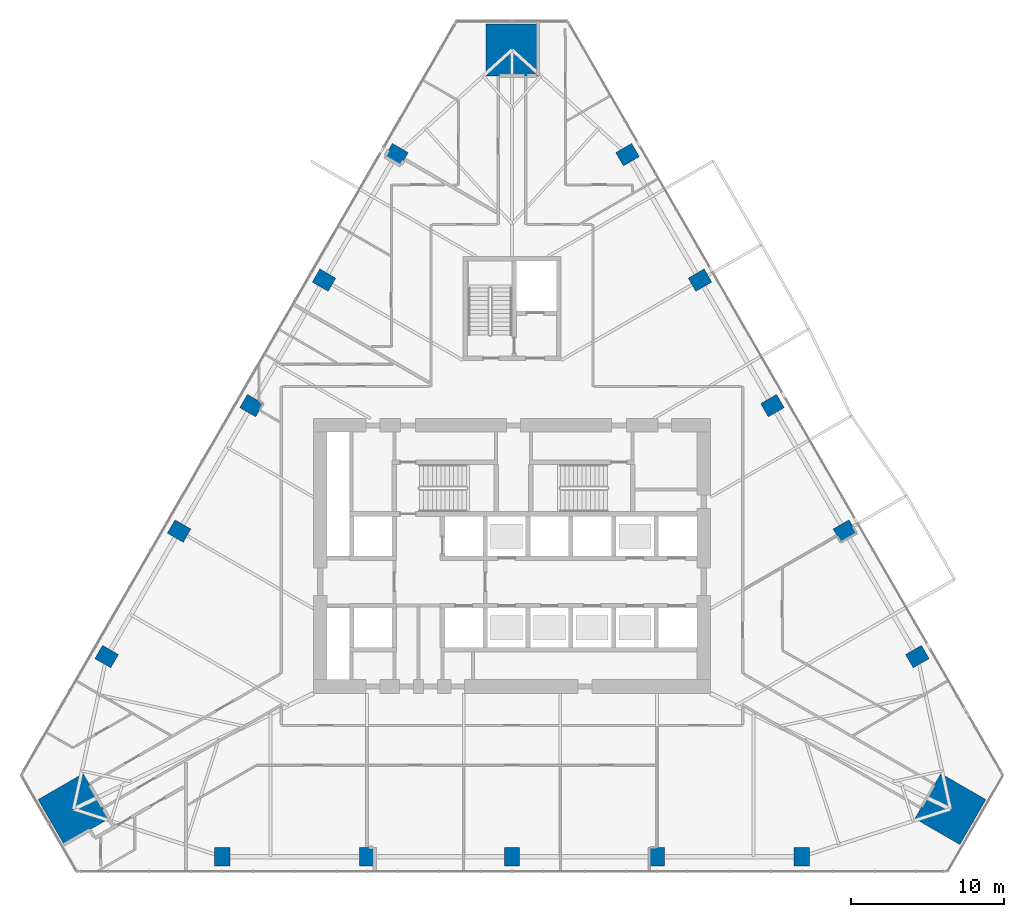
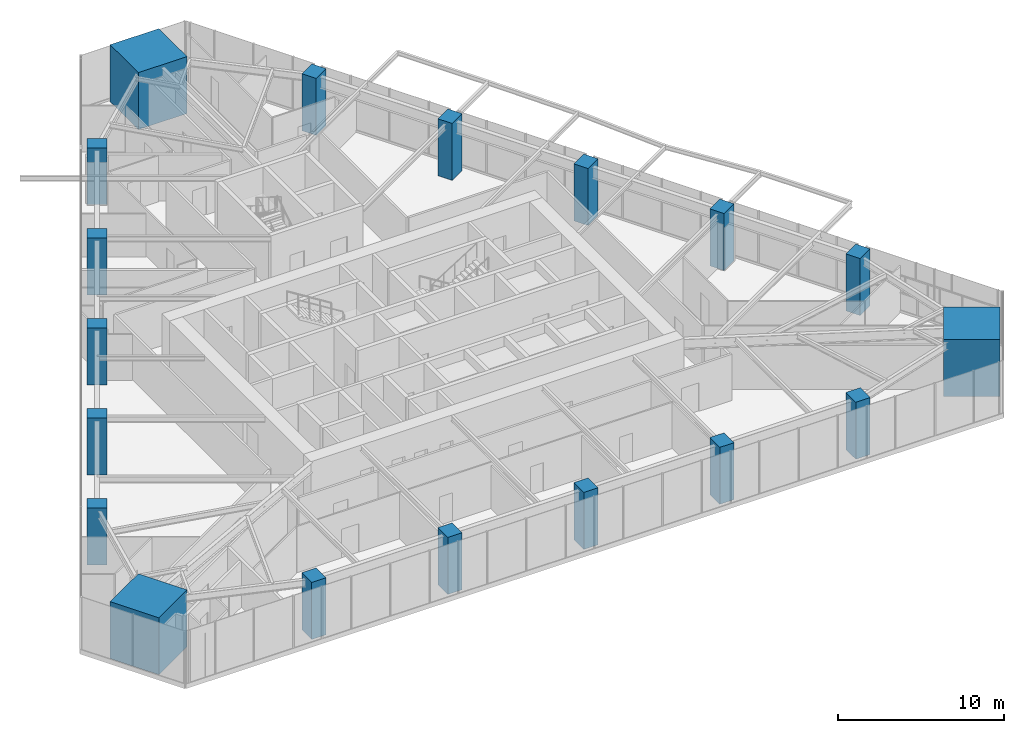
# One storey, part 1 of 26: 18 columns.
"""IFC4 building model written with IfcOpenShell, lengths in metres."""

from ifc_helpers import new_model, si_unit, direction, frame, origin, origin_2d, place, context, subcontext, project, spatial, rectangle, extrude, material, material_profile, profile_set, type_object, element, save


model = new_model("IFC4")

# Units and contexts
model_context = context("Model", 3, precision=1e-05, world=origin(), true_north=direction((0.0, 1.0)))
body_context = subcontext(model_context, "Body", "Model", "MODEL_VIEW")
ifc_project = project(units=[si_unit("LENGTHUNIT", "METRE"), si_unit("AREAUNIT", "SQUARE_METRE"), si_unit("VOLUMEUNIT", "CUBIC_METRE"), si_unit("PLANEANGLEUNIT", "RADIAN"), si_unit("MASSUNIT", "GRAM", prefix="KILO")], contexts=[model_context])

# Site, building, storey
site_placement = place(None, origin())
site = spatial("IfcSite", under=ifc_project, at=site_placement, CompositionType="ELEMENT")
building_placement = place(site_placement, origin())
building = spatial("IfcBuilding", under=site, at=building_placement, Name="Firuza Gate Tower and Library", CompositionType="ELEMENT")
storey_placement = place(building_placement, frame((0.0, 0.0, 77.800048828125)))
storey = spatial("IfcBuildingStorey", under=building, at=storey_placement, Name="L17", CompositionType="ELEMENT", Elevation=77.800048828125)

# Columns
ifc_material_1 = material(Name="Concrete C80/95", Category="concrete")
ifc_material_profile_1 = material_profile(ifc_material_1, rectangle(XDim=3.39990234375, YDim=3.39990234375, at=origin_2d()))
ifc_profile_set_1 = profile_set([ifc_material_profile_1], Name="Concrete C80/95")
column_type_1 = type_object("IfcColumnType", Name="Mega column 3400x3400 C80/95", PredefinedType="COLUMN", material=ifc_profile_set_1)
for number, where, z_axis, x_axis, name in (
    (1, (103.697021484375, 58.431640625, 0.0), (0.0, 0.0, 1.0), (0.5, 0.866025403784, 0.0), "Mega column SE L17"),
    (2, (75.0, 108.136474609375, 0.0), (0.0, 0.0, 1.0), (-1.0, 0.0, 0.0), "Mega column N L17"),
    (3, (46.302978515625, 58.431640625, 0.0), (0.0, 0.0, 1.0), (0.5, -0.866025403784, 0.0), "Mega column SW L17"),
):
    element("IfcColumn", number, at=place(storey_placement, frame(where, z_axis=z_axis, x_axis=x_axis)), inside=storey, type_object=column_type_1, Name=name, PredefinedType="COLUMN", context=body_context, shape_type="SweptSolid", body=[
        extrude(rectangle(XDim=3.39990234375, YDim=3.39990234375, at=origin_2d()), origin(), (0.0, 0.0, 1.0), 4.199951171875),
    ])
ifc_material_2 = material(Name="Concrete C60/75", Category="concrete")
ifc_material_profile_2 = material_profile(ifc_material_2, rectangle(XDim=1.0, YDim=1.199951171875, at=origin_2d()))
ifc_profile_set_2 = profile_set([ifc_material_profile_2], Name="Concrete C60/75")
column_type_2 = type_object("IfcColumnType", Name="Perimeter column 1000x1200 C60/75", PredefinedType="COLUMN", material=ifc_profile_set_2)
for number, where, z_axis, x_axis, name in (
    (4, (56.029296875, 55.31396484375, -0.00048828125), (0.0, 0.0, 1.0), (1.0, 0.0, 0.0), "Column S1 L17"),
    (5, (65.5146484375, 55.31396484375, -0.00048828125), (0.0, 0.0, 1.0), (1.0, 0.0, 0.0), "Column S2 L17"),
    (6, (75.0, 55.31396484375, -0.00048828125), (0.0, 0.0, 1.0), (1.0, 0.0, 0.0), "Column S3 L17"),
    (7, (84.4853515625, 55.31396484375, -0.00048828125), (0.0, 0.0, 1.0), (1.0, 0.0, 0.0), "Column S4 L17"),
    (8, (93.970703125, 55.31396484375, -0.00048828125), (0.0, 0.0, 1.0), (1.0, 0.0, 0.0), "Column S5 L17"),
    (9, (101.533935546875, 68.4140625, -0.00048828125), (0.0, 0.0, 1.0), (-0.5, 0.866025403784, 0.0), "Column E1 L17"),
    (10, (96.791259765625, 76.62841796875, -0.00048828125), (0.0, 0.0, 1.0), (-0.5, 0.866025403784, 0.0), "Column E2 L17"),
    (11, (92.048583984375, 84.843017578125, -0.00048828125), (0.0, 0.0, 1.0), (-0.5, 0.866025403784, 0.0), "Column E3 L17"),
    (12, (87.305908203125, 93.057373046875, -0.00048828125), (0.0, 0.0, 1.0), (-0.5, 0.866025403784, 0.0), "Column E4 L17"),
    (13, (82.563232421875, 101.27197265625, -0.00048828125), (0.0, 0.0, 1.0), (-0.5, 0.866025403784, 0.0), "Column E5 L17"),
    (14, (67.436767578125, 101.27197265625, -0.00048828125), (0.0, 0.0, 1.0), (-0.5, -0.866025403784, 0.0), "Column W1 L17"),
    (15, (62.694091796875, 93.057373046875, -0.00048828125), (0.0, 0.0, 1.0), (-0.5, -0.866025403784, 0.0), "Column W2 L17"),
    (16, (57.951416015625, 84.843017578125, -0.00048828125), (0.0, 0.0, 1.0), (-0.5, -0.866025403784, 0.0), "Column W3 L17"),
    (17, (53.208740234375, 76.62841796875, -0.00048828125), (0.0, 0.0, 1.0), (-0.5, -0.866025403784, 0.0), "Column W4 L17"),
    (18, (48.466064453125, 68.4140625, -0.00048828125), (0.0, 0.0, 1.0), (-0.5, -0.866025403784, 0.0), "Column W5 L17"),
):
    element("IfcColumn", number, at=place(storey_placement, frame(where, z_axis=z_axis, x_axis=x_axis)), inside=storey, type_object=column_type_2, Name=name, PredefinedType="COLUMN", context=body_context, shape_type="SweptSolid", body=[
        extrude(rectangle(XDim=1.0, YDim=1.199951171875, at=origin_2d()), origin(), (0.0, 0.0, 1.0), 4.200439453125),
    ])

save(model, "model.ifc")
